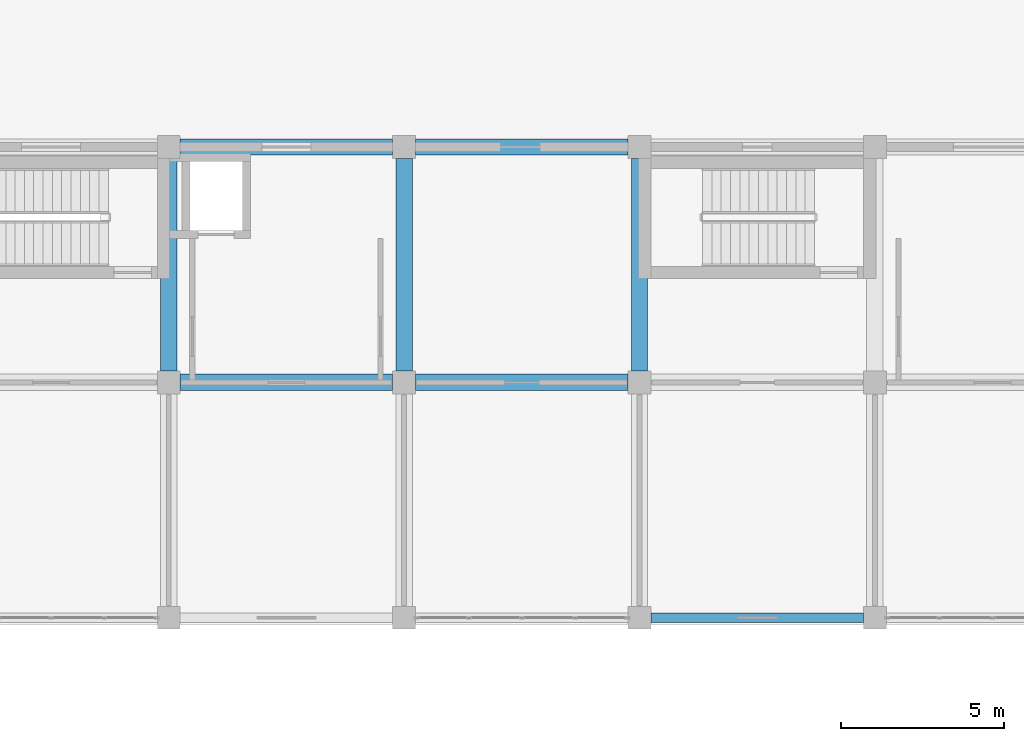
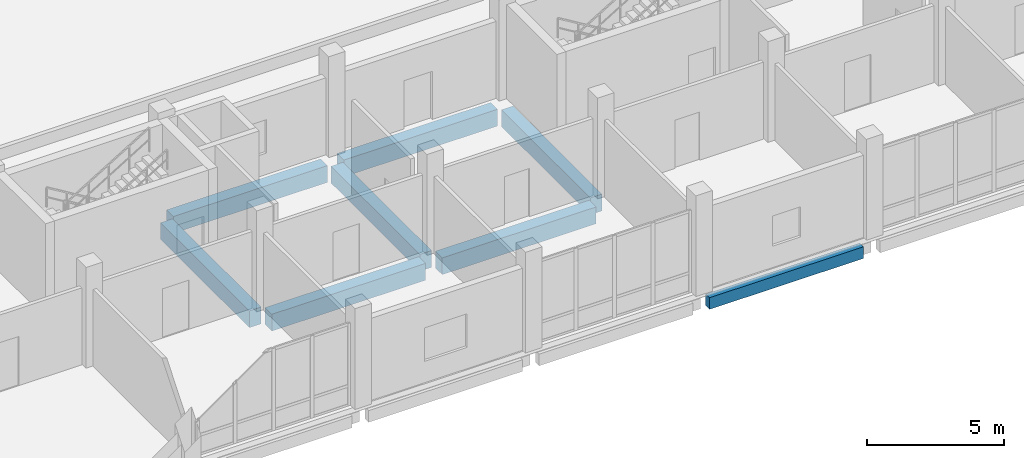
# One storey, part 72 of 139: 8 beams.
"""IFC4 building model written with IfcOpenShell, lengths in metres."""

import ifcopenshell
import ifcopenshell.guid

model = None  # the IFC model being written
_history = None  # IfcOwnerHistory: only IFC2X3 demands one
_inside = {}  # id of a spatial element -> (the spatial element, [elements in it])
_under = {}  # id of a project, library or spatial element -> (it, [spatial elements below it])
_declared = {}  # id of a project -> (the project, [libraries it declares])
_typed = {}  # id of a type object -> (the type object, [elements of that type])
_made_of = {}  # id of a material, layer set ... -> (it, [elements and type objects made of it])


def new_model(schema):
    """Start an empty IFC model of exactly this schema.

    Asked for "IFC4X3", IfcOpenShell would pick the latest addendum, in which some entities
    have other attributes; the version numbers below select the first issue.
    IFC2X3 requires an IfcOwnerHistory on every rooted entity: one is made here for all.
    """
    global model, _history
    if schema == "IFC4X3":
        model = ifcopenshell.file(schema_version=(4, 3, 0, 0))
    else:
        model = ifcopenshell.file(schema=schema)
    _inside.clear()
    _under.clear()
    _declared.clear()
    _typed.clear()
    _made_of.clear()
    _history = None
    if model.schema == "IFC2X3":
        org = make("IfcOrganization", Name="unknown")
        user = make(
            "IfcPersonAndOrganization",
            ThePerson=make("IfcPerson", FamilyName="unknown"),
            TheOrganization=org,
        )
        app = make(
            "IfcApplication",
            ApplicationDeveloper=org,
            Version="unknown",
            ApplicationFullName="unknown",
            ApplicationIdentifier="unknown",
        )
        _history = make(
            "IfcOwnerHistory",
            OwningUser=user,
            OwningApplication=app,
            ChangeAction="ADDED",
            CreationDate=0,
        )
    return model


def make(cls, **values):
    """One entity of the class cls with the attributes given. An attribute that is None is left unset."""
    return model.create_entity(
        cls, **{name: value for name, value in values.items() if value is not None}
    )


def rooted(cls, **values):
    """An entity with a GlobalId (a new one), such as an element, a storey or a relation."""
    return make(cls, GlobalId=ifcopenshell.guid.new(), OwnerHistory=_history, **values)


def si_unit(unit_type, name, prefix=None):
    """IfcSIUnit, for example si_unit("LENGTHUNIT", "METRE", prefix="MILLI")."""
    return make("IfcSIUnit", UnitType=unit_type, Prefix=prefix, Name=name)


def assignment(units):
    """IfcUnitAssignment: the units of a project."""
    return None if units is None else make("IfcUnitAssignment", Units=units)


def point(xyz):
    """IfcCartesianPoint."""
    return None if xyz is None else make("IfcCartesianPoint", Coordinates=xyz)


def direction(xyz):
    """IfcDirection."""
    return None if xyz is None else make("IfcDirection", DirectionRatios=xyz)


def frame(location, z_axis=None, x_axis=None):
    """IfcAxis2Placement3D, a coordinate frame: its origin and axes. An axis left out is left unset."""
    return make(
        "IfcAxis2Placement3D",
        Location=point(location),
        Axis=direction(z_axis),
        RefDirection=direction(x_axis),
    )


def frame_2d(location, x_axis=None):
    """IfcAxis2Placement2D, a coordinate frame in the plane: its origin and x axis."""
    return make(
        "IfcAxis2Placement2D", Location=point(location), RefDirection=direction(x_axis)
    )


def origin():
    """The frame at (0, 0, 0) with its axes left unset."""
    return frame((0.0, 0.0, 0.0))


def origin_2d():
    """The frame at (0, 0) in the plane with its x axis left unset."""
    return frame_2d((0.0, 0.0))


def place(relative_to, where):
    """IfcLocalPlacement: puts the frame where relative to a parent placement (None: the world)."""
    return make(
        "IfcLocalPlacement", PlacementRelTo=relative_to, RelativePlacement=where
    )


def context(
    kind, dimensions, precision=None, world=None, true_north=None, identifier=None
):
    """IfcGeometricRepresentationContext, for example the 3D "Model" context."""
    return make(
        "IfcGeometricRepresentationContext",
        ContextIdentifier=identifier,
        ContextType=kind,
        CoordinateSpaceDimension=dimensions,
        Precision=precision,
        WorldCoordinateSystem=world,
        TrueNorth=true_north,
    )


def subcontext(parent, identifier, kind, view, scale=None):
    """IfcGeometricRepresentationSubContext, for example "Body" below "Model"."""
    return make(
        "IfcGeometricRepresentationSubContext",
        ContextIdentifier=identifier,
        ContextType=kind,
        ParentContext=parent,
        TargetScale=scale,
        TargetView=view,
    )


def project(units=None, contexts=None):
    """IfcProject with its units and contexts."""
    return rooted(
        "IfcProject",
        Name="project",
        RepresentationContexts=contexts,
        UnitsInContext=assignment(units),
    )


def spatial(cls, under=None, at=None, **own):
    """A site, building, storey or space (cls), placed at a placement, below another one or the project."""
    s = rooted(cls, ObjectPlacement=at, **own)
    if under is not None:
        _under.setdefault(under.id(), (under, []))[1].append(s)
    return s


def profile(cls, at=None, kind="AREA", **sizes):
    """A parametric profile (cls). Its sizes go by their IFC names, for example OverallWidth=200.0."""
    return make(cls, ProfileType=kind, Position=at, **sizes)


def rectangle(**sizes):
    """IfcRectangleProfileDef."""
    return profile("IfcRectangleProfileDef", **sizes)


def extrude(swept, where, along, depth):
    """IfcExtrudedAreaSolid: the profile swept, set in the frame where, extruded along a direction by depth."""
    return make(
        "IfcExtrudedAreaSolid",
        SweptArea=swept,
        Position=where,
        ExtrudedDirection=direction(along),
        Depth=depth,
    )


def shape(context_of_items, identifier, shape_type, items):
    """IfcShapeRepresentation: the items that make up one representation, for example the "Body"."""
    return make(
        "IfcShapeRepresentation",
        ContextOfItems=context_of_items,
        RepresentationIdentifier=identifier,
        RepresentationType=shape_type,
        Items=items,
    )


def material(Name=None, Category=None):
    """IfcMaterial."""
    return make("IfcMaterial", Name=Name, Category=Category)


def material_profile(
    of_material, cross_section, Name=None, Category=None, Priority=None
):
    """IfcMaterialProfile: a cross section and its material."""
    return make(
        "IfcMaterialProfile",
        Name=Name,
        Material=of_material,
        Profile=cross_section,
        Priority=Priority,
        Category=Category,
    )


def profile_set(profiles, Name=None, composite=None):
    """IfcMaterialProfileSet."""
    return make(
        "IfcMaterialProfileSet",
        Name=Name,
        MaterialProfiles=profiles,
        CompositeProfile=composite,
    )


def made_of(thing, what):
    """Note that an element or type object is made of a material, layer set ...; save() writes the relation."""
    if what is not None:
        _made_of.setdefault(what.id(), (what, []))[1].append(thing)
    return thing


def type_object(cls, material=None, **own):
    """A type object (cls), such as IfcWallType, which elements share."""
    return made_of(rooted(cls, **own), material)


def element(
    cls,
    number,
    at=None,
    inside=None,
    cuts=None,
    type_object=None,
    material=None,
    context=None,
    identifier="Body",
    shape_type=None,
    held_by="IfcProductDefinitionShape",
    body=None,
    shapes=None,
    **own,
):
    """One element of the class cls, such as IfcWall. Its Tag is "e" and its number.

    at: its placement. inside: the storey or other place that contains it. cuts: it is an
    opening in that element (IfcRelVoidsElement). A single representation is given by context,
    identifier, shape_type and body (its items); several are given by shapes. held_by: the class
    of the entity that holds the representations. save() writes the other relations.
    """
    e = rooted(cls, Tag="e%d" % number, ObjectPlacement=at, **own)
    if body is not None:
        shapes = [shape(context, identifier, shape_type, body)]
    if shapes is not None:
        e.Representation = make(held_by, Representations=shapes)
    if inside is not None:
        _inside.setdefault(inside.id(), (inside, []))[1].append(e)
    if cuts is not None:
        rooted(
            "IfcRelVoidsElement", RelatingBuildingElement=cuts, RelatedOpeningElement=e
        )
    if type_object is not None:
        _typed.setdefault(type_object.id(), (type_object, []))[1].append(e)
    return made_of(e, material)


def aggregate(whole, parts):
    """IfcRelAggregates: a whole, such as a stair, and the parts it consists of."""
    return rooted("IfcRelAggregates", RelatingObject=whole, RelatedObjects=parts)


def save(model, path):
    """Write the relations noted so far, then the file.

    IfcRelAggregates (storeys below a building ...), IfcRelContainedInSpatialStructure (elements
    in a storey), IfcRelDefinesByType, IfcRelAssociatesMaterial and IfcRelDeclares: one each for
    every whole, place, type object, material and project.
    """
    for whole, parts in _under.values():
        aggregate(whole, parts)
    for where, things in _inside.values():
        rooted(
            "IfcRelContainedInSpatialStructure",
            RelatedElements=things,
            RelatingStructure=where,
        )
    for kind, things in _typed.values():
        rooted("IfcRelDefinesByType", RelatedObjects=things, RelatingType=kind)
    for what, things in _made_of.values():
        rooted("IfcRelAssociatesMaterial", RelatedObjects=things, RelatingMaterial=what)
    for by, libraries in _declared.values():
        rooted("IfcRelDeclares", RelatingContext=by, RelatedDefinitions=libraries)
    model.write(path)


model = new_model("IFC4")

# Units and contexts
model_context = context("Model", 3, precision=1e-05, world=origin(), true_north=direction((0.0, 1.0)))
body_context = subcontext(model_context, "Body", "Model", "MODEL_VIEW")
ifc_project = project(units=[si_unit("LENGTHUNIT", "METRE"), si_unit("AREAUNIT", "SQUARE_METRE"), si_unit("VOLUMEUNIT", "CUBIC_METRE"), si_unit("PLANEANGLEUNIT", "RADIAN"), si_unit("MASSUNIT", "GRAM", prefix="KILO")], contexts=[model_context])

# Site, building, storey
site_placement = place(None, origin())
site = spatial("IfcSite", under=ifc_project, at=site_placement, CompositionType="ELEMENT")
building_placement = place(site_placement, origin())
building = spatial("IfcBuilding", under=site, at=building_placement, Name="Suanplinth Sawtooth Commons", CompositionType="ELEMENT")
storey_placement = place(building_placement, origin())
storey = spatial("IfcBuildingStorey", under=building, at=storey_placement, Name="L00", CompositionType="ELEMENT", Elevation=0.0)

# Beams
ifc_material_1 = material(Name="Concrete C40/50", Category="concrete")
ifc_material_profile_1 = material_profile(ifc_material_1, rectangle(XDim=0.5, YDim=0.75, at=origin_2d()), Name="RC-GDR 500x750")
ifc_profile_set_1 = profile_set([ifc_material_profile_1], Name="Concrete C40/50")
beam_type_1 = type_object("IfcBeamType", Name="B-03", PredefinedType="USERDEFINED", material=ifc_profile_set_1)
for number, where, z_axis, x_axis, name in (
    (1, (144.35009765625, 7.199951171875, -0.794921875), (1.0, 0.0, 0.0), (0.0, 1.0, 0.0), "BMX-L00-C-20-1"),
    (2, (144.35009765625, 14.39990234375, -0.794921875), (1.0, 0.0, 0.0), (0.0, 1.0, 0.0), "BMX-L00-C-20-2"),
    (3, (151.550048828125, 7.199951171875, -0.794921875), (1.0, 0.0, 0.0), (0.0, 1.0, 0.0), "BMX-L00-C-21-1"),
    (4, (151.550048828125, 14.39990234375, -0.794921875), (1.0, 0.0, 0.0), (0.0, 1.0, 0.0), "BMX-L00-C-21-2"),
    (5, (144.0, 7.550048828125, -0.794921875), (0.0, 1.0, 0.0), (-1.0, 0.0, 0.0), "BMY-L00-C-20-1"),
    (6, (151.199951171875, 7.550048828125, -0.794921875), (0.0, 1.0, 0.0), (-1.0, 0.0, 0.0), "BMY-L00-C-21-1"),
    (7, (158.39990234375, 7.550048828125, -0.794921875), (0.0, 1.0, 0.0), (-1.0, 0.0, 0.0), "BMY-L00-C-22-1"),
):
    element("IfcBeam", number, at=place(storey_placement, frame(where, z_axis=z_axis, x_axis=x_axis)), inside=storey, type_object=beam_type_1, Name=name, ObjectType="GIRDER", PredefinedType="USERDEFINED", context=body_context, shape_type="SweptSolid", body=[
        extrude(rectangle(XDim=0.5, YDim=0.75, at=origin_2d()), origin(), (0.0, 0.0, 1.0), 6.5),
    ])
ifc_material_2 = material(Name="Precast concrete C40/50", Category="concrete")
ifc_material_profile_2 = material_profile(ifc_material_2, rectangle(XDim=0.280029296875, YDim=0.52001953125, at=origin_2d()), Name="PC-SP 280x520")
ifc_profile_set_2 = profile_set([ifc_material_profile_2], Name="Precast concrete C40/50")
beam_type_2 = type_object("IfcBeamType", Name="B-08", PredefinedType="SPANDREL", material=ifc_profile_set_2)
beam_placement = place(storey_placement, frame((158.75, 0.0, -0.679931640625), z_axis=(1.0, 0.0, 0.0), x_axis=(0.0, 1.0, 0.0)))
element("IfcBeam", 8, at=beam_placement, inside=storey, type_object=beam_type_2, Name="BMX-L00-C-22-0", PredefinedType="SPANDREL", context=body_context, shape_type="SweptSolid", body=[
    extrude(rectangle(XDim=0.280029296875, YDim=0.52001953125, at=origin_2d()), origin(), (0.0, 0.0, 1.0), 6.5),
])

save(model, "model.ifc")
